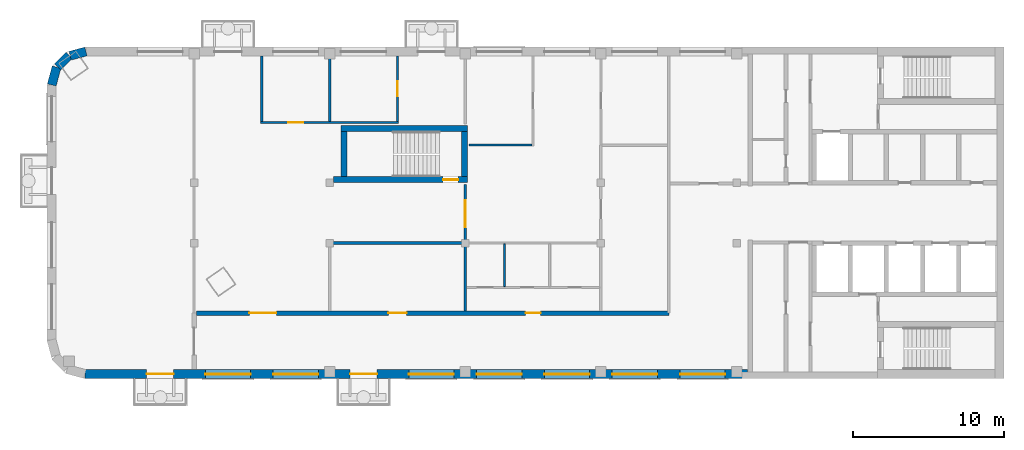
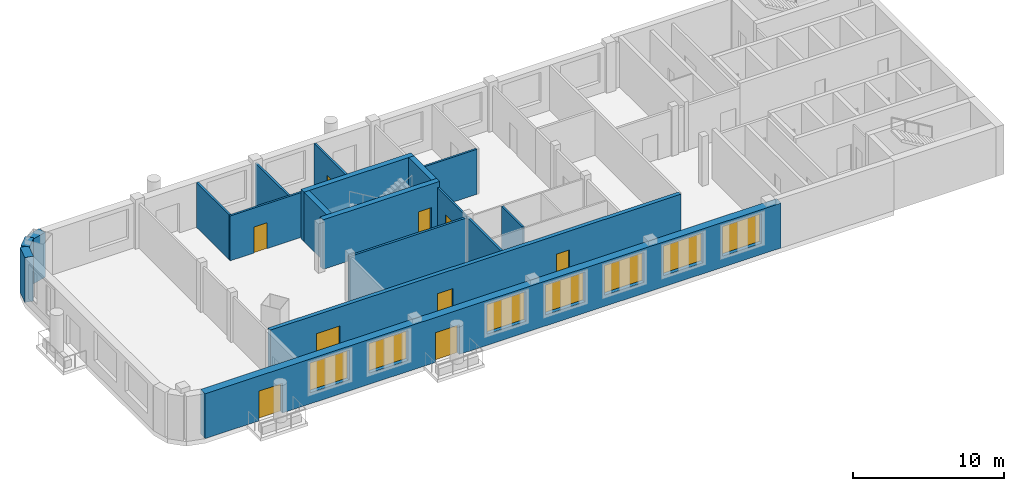
# One storey, part 2 of 8: 18 walls, 9 doors, 7 windows, 16 openings.
"""IFC4 building model written with IfcOpenShell, lengths in metres."""

from ifc_helpers import new_model, si_unit, direction, frame, frame_2d, origin, place, context, subcontext, project, spatial, rectangle, extrude, material, layer, layer_set, type_object, element, fill, save


model = new_model("IFC4")

# Units and contexts
model_context = context("Model", 3, precision=1e-05, world=origin(), true_north=direction((0.0, 1.0)))
body_context = subcontext(model_context, "Body", "Model", "MODEL_VIEW")
ifc_project = project(units=[si_unit("LENGTHUNIT", "METRE"), si_unit("AREAUNIT", "SQUARE_METRE"), si_unit("VOLUMEUNIT", "CUBIC_METRE"), si_unit("PLANEANGLEUNIT", "RADIAN"), si_unit("MASSUNIT", "GRAM", prefix="KILO")], contexts=[model_context])

# Site, building, storey
site_placement = place(None, origin())
site = spatial("IfcSite", under=ifc_project, at=site_placement, CompositionType="ELEMENT")
building_placement = place(site_placement, origin())
building = spatial("IfcBuilding", under=site, at=building_placement, Name="Skarvind Civic Tower", CompositionType="ELEMENT")
storey_placement = place(building_placement, frame((0.0, 0.0, 253.5)))
storey = spatial("IfcBuildingStorey", under=building, at=storey_placement, Name="L60", CompositionType="ELEMENT", Elevation=253.5)

# Walls
ifc_material_1 = material(Name="Acoustic gypsum board on steel studs", Category="steel")
ifc_layer_1 = layer(ifc_material_1, 0.175048828125)
ifc_layer_set_1 = layer_set([ifc_layer_1], Name="ACOUSTIC MEETING-ROOM PARTITION 175")
wall_type_1 = type_object("IfcWallType", Name="ACOUSTIC MEETING-ROOM PARTITION 175", PredefinedType="PARTITIONING", material=ifc_layer_set_1)
wall_1_placement = place(storey_placement, frame((72.25, 121.5, 0.0), z_axis=(0.0, 0.0, 1.0), x_axis=(0.0, 1.0, 0.0)))
element("IfcWall", 1, at=wall_1_placement, inside=storey, type_object=wall_type_1, Name="Partition 60.009", PredefinedType="PARTITIONING", context=body_context, shape_type="SweptSolid", body=[
    extrude(rectangle(XDim=4.5, YDim=0.175048828125, at=frame_2d((2.25, 0.0))), origin(), (0.0, 0.0, 1.0), 3.625),
])
wall_2_placement = place(storey_placement, frame((72.25, 126.0, 0.0), z_axis=(0.0, 0.0, 1.0), x_axis=(-1.0, 0.0, 0.0)))
element("IfcWall", 2, at=wall_2_placement, inside=storey, type_object=wall_type_1, Name="Partition 60.011", PredefinedType="PARTITIONING", context=body_context, shape_type="SweptSolid", body=[
    extrude(rectangle(XDim=9.087890625, YDim=0.175048828125, at=frame_2d((4.5439453125, 0.0))), origin(), (0.0, 0.0, 1.0), 3.625),
])

# Wall, openings, doors
ifc_material_2 = material(Name="Fire-rated gypsum board on steel studs", Category="steel")
ifc_layer_2 = layer(ifc_material_2, 0.300048828125)
ifc_layer_set_2 = layer_set([ifc_layer_2], Name="CORRIDOR WALL 300")
wall_type_2 = type_object("IfcWallType", Name="CORRIDOR WALL 300", PredefinedType="PARTITIONING", material=ifc_layer_set_2)
wall_3_placement = place(storey_placement, frame((54.39990234375, 121.35009765625, 0.0), z_axis=(0.0, 0.0, 1.0), x_axis=(1.0, 0.0, 0.0)))
wall_3 = element("IfcWall", 3, at=wall_3_placement, inside=storey, type_object=wall_type_2, Name="Partition 60.002", PredefinedType="PARTITIONING", context=body_context, shape_type="SweptSolid", body=[
    extrude(rectangle(XDim=31.35302734375, YDim=0.300048828125, at=frame_2d((15.676513671875, 0.0))), origin(), (0.0, 0.0, 1.0), 3.625),
])
opening_1_placement = place(wall_3_placement, frame((21.85009765625, 0.0, 0.0)))
opening_1 = element("IfcOpeningElement", 4, at=opening_1_placement, cuts=wall_3, Name="Opening L60-D002", PredefinedType="OPENING", context=body_context, shape_type="SweptSolid", body=[
    extrude(rectangle(XDim=1.0, YDim=2.10009765625, at=frame_2d((0.5, 1.050048828125))), frame((0.0, 0.159912109375, 0.0), z_axis=(0.0, -1.0, 0.0), x_axis=(1.0, 0.0, 0.0)), (0.0, 0.0, 1.0), 0.320068359375),
])
opening_2_placement = place(wall_3_placement, frame((12.75, 0.0, 0.0)))
opening_2 = element("IfcOpeningElement", 5, at=opening_2_placement, cuts=wall_3, Name="Opening L60-D009", PredefinedType="OPENING", context=body_context, shape_type="SweptSolid", body=[
    extrude(rectangle(XDim=1.199951171875, YDim=2.10009765625, at=frame_2d((0.60009765625, 1.050048828125))), frame((0.0, 0.159912109375, 0.0), z_axis=(0.0, -1.0, 0.0), x_axis=(1.0, 0.0, 0.0)), (0.0, 0.0, 1.0), 0.320068359375),
])
opening_3_placement = place(wall_3_placement, frame((3.514892578125, 0.0, 0.0)))
opening_3 = element("IfcOpeningElement", 6, at=opening_3_placement, cuts=wall_3, Name="Opening L60-D012", PredefinedType="OPENING", context=body_context, shape_type="SweptSolid", body=[
    extrude(rectangle(XDim=1.800048828125, YDim=2.10009765625, at=frame_2d((0.89990234375, 1.050048828125))), frame((0.0, 0.159912109375, 0.0), z_axis=(0.0, -1.0, 0.0), x_axis=(1.0, 0.0, 0.0)), (0.0, 0.0, 1.0), 0.320068359375),
])
ifc_material_3 = material(Name="Fire-rated timber door leaf", Category="wood")
door_type_1 = type_object("IfcDoorType", Name="FD1 1000x2100", OperationType="NOTDEFINED", PredefinedType="DOOR", material=ifc_material_3)
door_1_placement = place(opening_1_placement, origin())
door_1 = element("IfcDoor", 7, at=door_1_placement, inside=storey, type_object=door_type_1, Name="Door L60-D002", OperationType="SINGLE_SWING_LEFT", OverallHeight=2.10009765625, OverallWidth=1.0, PredefinedType="DOOR", context=body_context, shape_type="SweptSolid", body=[
    extrude(rectangle(XDim=1.0, YDim=2.10009765625, at=frame_2d((0.5, 1.050048828125))), frame((0.0, 0.02490234375, 0.0), z_axis=(0.0, -1.0, 0.0), x_axis=(1.0, 0.0, 0.0)), (0.0, 0.0, 1.0), 0.050048828125),
])
fill(opening_1, door_1)
door_type_2 = type_object("IfcDoorType", Name="FD4 1800x2100", OperationType="NOTDEFINED", PredefinedType="DOOR", material=ifc_material_3)
door_2_placement = place(opening_3_placement, origin())
door_2 = element("IfcDoor", 8, at=door_2_placement, inside=storey, type_object=door_type_2, Name="Door L60-D012", OperationType="DOUBLE_DOOR_SINGLE_SWING", OverallHeight=2.10009765625, OverallWidth=1.800048828125, PredefinedType="DOOR", context=body_context, shape_type="SweptSolid", body=[
    extrude(rectangle(XDim=1.800048828125, YDim=2.10009765625, at=frame_2d((0.89990234375, 1.050048828125))), frame((0.0, 0.02490234375, 0.0), z_axis=(0.0, -1.0, 0.0), x_axis=(1.0, 0.0, 0.0)), (0.0, 0.0, 1.0), 0.050048828125),
])
fill(opening_3, door_2)
door_type_3 = type_object("IfcDoorType", Name="FD6 1200x2100 DOUBLE", OperationType="NOTDEFINED", PredefinedType="DOOR", material=ifc_material_3)
door_3_placement = place(opening_2_placement, origin())
door_3 = element("IfcDoor", 9, at=door_3_placement, inside=storey, type_object=door_type_3, Name="Door L60-D009", OperationType="DOUBLE_DOOR_SINGLE_SWING", OverallHeight=2.10009765625, OverallWidth=1.199951171875, PredefinedType="DOOR", context=body_context, shape_type="SweptSolid", body=[
    extrude(rectangle(XDim=1.199951171875, YDim=2.10009765625, at=frame_2d((0.60009765625, 1.050048828125))), frame((0.0, 0.02490234375, 0.0), z_axis=(0.0, -1.0, 0.0), x_axis=(1.0, 0.0, 0.0)), (0.0, 0.0, 1.0), 0.050048828125),
])
fill(opening_2, door_3)

# Wall, opening, door
ifc_material_4 = material(Name="Concrete C60", Category="concrete")
ifc_layer_3 = layer(ifc_material_4, 0.39990234375)
ifc_layer_set_3 = layer_set([ifc_layer_3], Name="Core wall 400 C60")
wall_type_3 = type_object("IfcWallType", Name="Core wall 400 C60", PredefinedType="SHEAR", material=ifc_layer_set_3)
wall_4_placement = place(storey_placement, frame((63.5, 130.199951171875, 0.0), z_axis=(0.0, 0.0, 1.0), x_axis=(1.0, 0.0, 0.0)))
wall_4 = element("IfcWall", 10, at=wall_4_placement, inside=storey, type_object=wall_type_3, Name="Core wall CM inner L60", PredefinedType="SHEAR", context=body_context, shape_type="SweptSolid", body=[
    extrude(rectangle(XDim=8.89990234375, YDim=0.39990234375, at=frame_2d((4.449951171875, 0.0))), origin(), (0.0, 0.0, 1.0), 4.0),
])
opening_4_placement = place(wall_4_placement, frame((7.27490234375, 0.0, 0.0)))
opening_4 = element("IfcOpeningElement", 11, at=opening_4_placement, cuts=wall_4, Name="Opening D-L60-CM-01", PredefinedType="OPENING", context=body_context, shape_type="SweptSolid", body=[
    extrude(rectangle(XDim=1.0, YDim=2.10009765625, at=frame_2d((0.5, 1.050048828125))), frame((0.0, 0.2099609375, 0.0), z_axis=(0.0, -1.0, 0.0), x_axis=(1.0, 0.0, 0.0)), (0.0, 0.0, 1.0), 0.419921875),
])
ifc_material_5 = material(Name="Fire-rated steel door", Category="steel")
door_type_4 = type_object("IfcDoorType", Name="Fire door 1000", OperationType="NOTDEFINED", PredefinedType="DOOR", material=ifc_material_5)
door_4_placement = place(opening_4_placement, origin())
door_4 = element("IfcDoor", 12, at=door_4_placement, inside=storey, type_object=door_type_4, Name="Fire door", OperationType="SINGLE_SWING_LEFT", OverallHeight=2.10009765625, OverallWidth=1.0, PredefinedType="DOOR", context=body_context, shape_type="SweptSolid", body=[
    extrude(rectangle(XDim=1.0, YDim=2.10009765625, at=frame_2d((0.5, 1.050048828125))), frame((0.0, 0.02490234375, 0.0), z_axis=(0.0, -1.0, 0.0), x_axis=(1.0, 0.0, 0.0)), (0.0, 0.0, 1.0), 0.050048828125),
])
fill(opening_4, door_4)

# Walls
wall_5_placement = place(storey_placement, frame((64.0, 133.60009765625, 0.0), z_axis=(0.0, 0.0, 1.0), x_axis=(1.0, 0.0, 0.0)))
element("IfcWall", 13, at=wall_5_placement, inside=storey, type_object=wall_type_3, Name="Core wall CM outer L60", PredefinedType="SHEAR", context=body_context, shape_type="SweptSolid", body=[
    extrude(rectangle(XDim=8.39990234375, YDim=0.39990234375, at=frame_2d((4.199951171875, 0.0))), origin(), (0.0, 0.0, 1.0), 4.0),
])
for number, where, z_axis, x_axis, name in (
    (14, (64.199951171875, 130.39990234375, 0.0), (0.0, 0.0, 1.0), (0.0, 1.0, 0.0), "Core wall CM west L60"),
    (15, (72.199951171875, 130.39990234375, 0.0), (0.0, 0.0, 1.0), (0.0, 1.0, 0.0), "Core wall CM end L60"),
):
    element("IfcWall", number, at=place(storey_placement, frame(where, z_axis=z_axis, x_axis=x_axis)), inside=storey, type_object=wall_type_3, Name=name, PredefinedType="SHEAR", context=body_context, shape_type="SweptSolid", body=[
        extrude(rectangle(XDim=3.0, YDim=0.39990234375, at=frame_2d((1.5, 0.0))), origin(), (0.0, 0.0, 1.0), 4.0),
    ])
ifc_material_6 = material(Name="Plasterboard partition on steel studs", Category="steel")
ifc_layer_4 = layer(ifc_material_6, 0.14990234375)
ifc_layer_set_4 = layer_set([ifc_layer_4], Name="PARTITION 150")
wall_type_4 = type_object("IfcWallType", Name="PARTITION 150", PredefinedType="PARTITIONING", material=ifc_layer_set_4)
wall_6_placement = place(storey_placement, frame((58.75, 134.074951171875, 0.0), z_axis=(0.0, 0.0, 1.0), x_axis=(0.0, 1.0, 0.0)))
element("IfcWall", 16, at=wall_6_placement, inside=storey, type_object=wall_type_4, Name="Partition 60.004", PredefinedType="PARTITIONING", context=body_context, shape_type="SweptSolid", body=[
    extrude(rectangle(XDim=4.324951171875, YDim=0.14990234375, at=frame_2d((2.16259765625, 0.0))), origin(), (0.0, 0.0, 1.0), 3.625),
])

# Wall, opening, door
wall_7_placement = place(storey_placement, frame((67.824951171875, 134.0, 0.0), z_axis=(0.0, 0.0, 1.0), x_axis=(-1.0, 0.0, 0.0)))
wall_7 = element("IfcWall", 17, at=wall_7_placement, inside=storey, type_object=wall_type_4, Name="Partition 60.005", PredefinedType="PARTITIONING", context=body_context, shape_type="SweptSolid", body=[
    extrude(rectangle(XDim=9.14990234375, YDim=0.14990234375, at=frame_2d((4.574951171875, 0.0))), origin(), (0.0, 0.0, 1.0), 3.625),
])
opening_5_placement = place(wall_7_placement, frame((6.324951171875, 0.0, 0.0)))
opening_5 = element("IfcOpeningElement", 18, at=opening_5_placement, cuts=wall_7, Name="Opening L60-D011", PredefinedType="OPENING", context=body_context, shape_type="SweptSolid", body=[
    extrude(rectangle(XDim=1.0, YDim=2.10009765625, at=frame_2d((0.5, 1.050048828125))), frame((0.0, 0.0849609375, 0.0), z_axis=(0.0, -1.0, 0.0), x_axis=(1.0, 0.0, 0.0)), (0.0, 0.0, 1.0), 0.169921875),
])
ifc_material_7 = material(Name="Timber door leaf", Category="wood")
door_type_5 = type_object("IfcDoorType", Name="D1 1000x2100", OperationType="NOTDEFINED", PredefinedType="DOOR", material=ifc_material_7)
door_5_placement = place(opening_5_placement, origin())
door_5 = element("IfcDoor", 19, at=door_5_placement, inside=storey, type_object=door_type_5, Name="Door L60-D011", OperationType="SINGLE_SWING_RIGHT", OverallHeight=2.10009765625, OverallWidth=1.0, PredefinedType="DOOR", context=body_context, shape_type="SweptSolid", body=[
    extrude(rectangle(XDim=1.0, YDim=2.10009765625, at=frame_2d((0.5, 1.050048828125))), frame((0.0, 0.02490234375, 0.0), z_axis=(0.0, -1.0, 0.0), x_axis=(1.0, 0.0, 0.0)), (0.0, 0.0, 1.0), 0.050048828125),
])
fill(opening_5, door_5)

# Wall
wall_8_placement = place(storey_placement, frame((63.25, 134.074951171875, 0.0), z_axis=(0.0, 0.0, 1.0), x_axis=(0.0, 1.0, 0.0)))
element("IfcWall", 20, at=wall_8_placement, inside=storey, type_object=wall_type_4, Name="Partition 60.007", PredefinedType="PARTITIONING", context=body_context, shape_type="SweptSolid", body=[
    extrude(rectangle(XDim=4.324951171875, YDim=0.14990234375, at=frame_2d((2.16259765625, 0.0))), origin(), (0.0, 0.0, 1.0), 3.625),
])

# Wall, opening, door
wall_9_placement = place(storey_placement, frame((67.75, 138.39990234375, 0.0), z_axis=(0.0, 0.0, 1.0), x_axis=(0.0, -1.0, 0.0)))
wall_9 = element("IfcWall", 21, at=wall_9_placement, inside=storey, type_object=wall_type_4, Name="Partition 60.008", PredefinedType="PARTITIONING", context=body_context, shape_type="SweptSolid", body=[
    extrude(rectangle(XDim=4.324951171875, YDim=0.14990234375, at=frame_2d((2.16259765625, 0.0))), origin(), (0.0, 0.0, 1.0), 3.625),
])
opening_6_placement = place(wall_9_placement, frame((1.672607421875, 0.0, 0.0)))
opening_6 = element("IfcOpeningElement", 22, at=opening_6_placement, cuts=wall_9, Name="Opening L60-D010", PredefinedType="OPENING", context=body_context, shape_type="SweptSolid", body=[
    extrude(rectangle(XDim=1.0, YDim=2.10009765625, at=frame_2d((0.5, 1.050048828125))), frame((0.0, 0.0849609375, 0.0), z_axis=(0.0, -1.0, 0.0), x_axis=(1.0, 0.0, 0.0)), (0.0, 0.0, 1.0), 0.169921875),
])
door_6_placement = place(opening_6_placement, origin())
door_6 = element("IfcDoor", 23, at=door_6_placement, inside=storey, type_object=door_type_5, Name="Door L60-D010", OperationType="SINGLE_SWING_LEFT", OverallHeight=2.10009765625, OverallWidth=1.0, PredefinedType="DOOR", context=body_context, shape_type="SweptSolid", body=[
    extrude(rectangle(XDim=1.0, YDim=2.10009765625, at=frame_2d((0.5, 1.050048828125))), frame((0.0, 0.02490234375, 0.0), z_axis=(0.0, -1.0, 0.0), x_axis=(1.0, 0.0, 0.0)), (0.0, 0.0, 1.0), 0.050048828125),
])
fill(opening_6, door_6)

wall_10_placement = place(storey_placement, frame((72.25, 126.0, 0.0), z_axis=(0.0, 0.0, 1.0), x_axis=(0.0, 1.0, 0.0)))
wall_10 = element("IfcWall", 24, at=wall_10_placement, inside=storey, type_object=wall_type_4, Name="Partition 60.012", PredefinedType="PARTITIONING", context=body_context, shape_type="SweptSolid", body=[
    extrude(rectangle(XDim=3.89990234375, YDim=0.14990234375, at=frame_2d((1.949951171875, 0.0))), origin(), (0.0, 0.0, 1.0), 3.625),
])
opening_7_placement = place(wall_10_placement, frame((1.050048828125, 0.0, 0.0)))
opening_7 = element("IfcOpeningElement", 25, at=opening_7_placement, cuts=wall_10, Name="Opening L60-D008", PredefinedType="OPENING", context=body_context, shape_type="SweptSolid", body=[
    extrude(rectangle(XDim=1.800048828125, YDim=2.10009765625, at=frame_2d((0.89990234375, 1.050048828125))), frame((0.0, 0.0849609375, 0.0), z_axis=(0.0, -1.0, 0.0), x_axis=(1.0, 0.0, 0.0)), (0.0, 0.0, 1.0), 0.169921875),
])
door_type_6 = type_object("IfcDoorType", Name="D4 1800x2100", OperationType="NOTDEFINED", PredefinedType="DOOR", material=ifc_material_7)
door_7_placement = place(opening_7_placement, origin())
door_7 = element("IfcDoor", 26, at=door_7_placement, inside=storey, type_object=door_type_6, Name="Door L60-D008", OperationType="DOUBLE_DOOR_SINGLE_SWING", OverallHeight=2.10009765625, OverallWidth=1.800048828125, PredefinedType="DOOR", context=body_context, shape_type="SweptSolid", body=[
    extrude(rectangle(XDim=1.800048828125, YDim=2.10009765625, at=frame_2d((0.89990234375, 1.050048828125))), frame((0.0, 0.02490234375, 0.0), z_axis=(0.0, -1.0, 0.0), x_axis=(1.0, 0.0, 0.0)), (0.0, 0.0, 1.0), 0.050048828125),
])
fill(opening_7, door_7)

# Walls
wall_11_placement = place(storey_placement, frame((76.675048828125, 132.5, 0.0), z_axis=(0.0, 0.0, 1.0), x_axis=(-1.0, 0.0, 0.0)))
element("IfcWall", 27, at=wall_11_placement, inside=storey, type_object=wall_type_4, Name="Partition 60.016", PredefinedType="PARTITIONING", context=body_context, shape_type="SweptSolid", body=[
    extrude(rectangle(XDim=4.175048828125, YDim=0.14990234375, at=frame_2d((2.08740234375, 0.0))), origin(), (0.0, 0.0, 1.0), 3.625),
])
ifc_material_8 = material(Name="Moisture-resistant gypsum board on steel studs", Category="steel")
ifc_layer_5 = layer(ifc_material_8, 0.125)
ifc_layer_set_5 = layer_set([ifc_layer_5], Name="WC PARTITION 125")
wall_type_5 = type_object("IfcWallType", Name="WC PARTITION 125", PredefinedType="PARTITIONING", material=ifc_layer_set_5)
wall_12_placement = place(storey_placement, frame((74.85009765625, 125.93798828125, 0.0), z_axis=(0.0, 0.0, 1.0), x_axis=(0.0, -1.0, 0.0)))
element("IfcWall", 28, at=wall_12_placement, inside=storey, type_object=wall_type_5, Name="Partition 60.015", PredefinedType="PARTITIONING", context=body_context, shape_type="SweptSolid", body=[
    extrude(rectangle(XDim=2.825927734375, YDim=0.125, at=frame_2d((1.4130859375, 0.0))), origin(), (0.0, 0.0, 1.0), 3.625),
])
ifc_material_9 = material(Name="Standing-seam zinc cladding on insulated backing")
ifc_layer_6 = layer(ifc_material_9, 0.60009765625)
ifc_layer_set_6 = layer_set([ifc_layer_6], Name="WX2 ZINC-CLAD FACADE WALL 600")
wall_type_6 = type_object("IfcWallType", Name="WX2 ZINC-CLAD FACADE WALL 600", PredefinedType="SOLIDWALL", material=ifc_layer_set_6)
wall_13_placement = place(storey_placement, frame((46.030517578125, 138.4296875, 0.0), z_axis=(0.0, 0.0, 1.0), x_axis=(0.965939004864, 0.25876985698, 0.0)))
element("IfcWall", 29, at=wall_13_placement, inside=storey, type_object=wall_type_6, Name="ZINC-CLAD FACADE WALL", PredefinedType="SOLIDWALL", context=body_context, shape_type="SweptSolid", body=[
    extrude(rectangle(XDim=1.083984375, YDim=0.60009765625, at=frame_2d((0.5419921875, 0.0))), origin(), (0.0, 0.0, 1.0), 3.625),
])
wall_14_placement = place(storey_placement, frame((45.195556640625, 137.686279296875, 0.0), z_axis=(0.0, 0.0, 1.0), x_axis=(0.707106781187, 0.707106781187, 0.0)))
element("IfcWall", 30, at=wall_14_placement, inside=storey, type_object=wall_type_6, Name="ZINC-CLAD FACADE WALL", PredefinedType="SOLIDWALL", context=body_context, shape_type="SweptSolid", body=[
    extrude(rectangle(XDim=1.084228515625, YDim=0.60009765625, at=frame_2d((0.5419921875, 0.0))), origin(), (0.0, 0.0, 1.0), 3.625),
])
wall_15_placement = place(storey_placement, frame((44.807861328125, 136.489990234375, 0.0), z_axis=(0.0, 0.0, 1.0), x_axis=(0.258878975098, 0.965909766102, 0.0)))
element("IfcWall", 31, at=wall_15_placement, inside=storey, type_object=wall_type_6, Name="ZINC-CLAD FACADE WALL", PredefinedType="SOLIDWALL", context=body_context, shape_type="SweptSolid", body=[
    extrude(rectangle(XDim=1.22412109375, YDim=0.60009765625, at=frame_2d((0.612060546875, 0.0))), origin(), (0.0, 0.0, 1.0), 3.625),
])

# Wall, openings, doors, windows
wall_16_placement = place(storey_placement, frame((90.97998046875, 117.300048828125, 0.0), z_axis=(0.0, 0.0, 1.0), x_axis=(-1.0, 0.0, 0.0)))
wall_16 = element("IfcWall", 32, at=wall_16_placement, inside=storey, type_object=wall_type_6, Name="ZINC-CLAD FACADE WALL", PredefinedType="SOLIDWALL", context=body_context, shape_type="SweptSolid", body=[
    extrude(rectangle(XDim=43.97998046875, YDim=0.60009765625, at=frame_2d((21.989990234375, 0.0))), origin(), (0.0, 0.0, 1.0), 3.625),
])
opening_8_placement = place(wall_16_placement, frame((1.47998046875, 0.0, 0.89990234375)))
opening_8 = element("IfcOpeningElement", 33, at=opening_8_placement, cuts=wall_16, Name="Opening WN4", PredefinedType="OPENING", context=body_context, shape_type="SweptSolid", body=[
    extrude(rectangle(XDim=3.0, YDim=2.39990234375, at=frame_2d((1.5, 1.199951171875))), frame((0.0, 0.31005859375, 0.0), z_axis=(0.0, -1.0, 0.0), x_axis=(1.0, 0.0, 0.0)), (0.0, 0.0, 1.0), 0.6201171875),
])
opening_9_placement = place(wall_16_placement, frame((5.97998046875, 0.0, 0.89990234375)))
opening_9 = element("IfcOpeningElement", 34, at=opening_9_placement, cuts=wall_16, Name="Opening WN4", PredefinedType="OPENING", context=body_context, shape_type="SweptSolid", body=[
    extrude(rectangle(XDim=3.0, YDim=2.39990234375, at=frame_2d((1.5, 1.199951171875))), frame((0.0, 0.31005859375, 0.0), z_axis=(0.0, -1.0, 0.0), x_axis=(1.0, 0.0, 0.0)), (0.0, 0.0, 1.0), 0.6201171875),
])
opening_10_placement = place(wall_16_placement, frame((10.47998046875, 0.0, 0.89990234375)))
opening_10 = element("IfcOpeningElement", 35, at=opening_10_placement, cuts=wall_16, Name="Opening WN4", PredefinedType="OPENING", context=body_context, shape_type="SweptSolid", body=[
    extrude(rectangle(XDim=3.0, YDim=2.39990234375, at=frame_2d((1.5, 1.199951171875))), frame((0.0, 0.31005859375, 0.0), z_axis=(0.0, -1.0, 0.0), x_axis=(1.0, 0.0, 0.0)), (0.0, 0.0, 1.0), 0.6201171875),
])
opening_11_placement = place(wall_16_placement, frame((14.97998046875, 0.0, 0.89990234375)))
opening_11 = element("IfcOpeningElement", 36, at=opening_11_placement, cuts=wall_16, Name="Opening WN4", PredefinedType="OPENING", context=body_context, shape_type="SweptSolid", body=[
    extrude(rectangle(XDim=3.0, YDim=2.39990234375, at=frame_2d((1.5, 1.199951171875))), frame((0.0, 0.31005859375, 0.0), z_axis=(0.0, -1.0, 0.0), x_axis=(1.0, 0.0, 0.0)), (0.0, 0.0, 1.0), 0.6201171875),
])
opening_12_placement = place(wall_16_placement, frame((19.47998046875, 0.0, 0.89990234375)))
opening_12 = element("IfcOpeningElement", 37, at=opening_12_placement, cuts=wall_16, Name="Opening WN4", PredefinedType="OPENING", context=body_context, shape_type="SweptSolid", body=[
    extrude(rectangle(XDim=3.0, YDim=2.39990234375, at=frame_2d((1.5, 1.199951171875))), frame((0.0, 0.31005859375, 0.0), z_axis=(0.0, -1.0, 0.0), x_axis=(1.0, 0.0, 0.0)), (0.0, 0.0, 1.0), 0.6201171875),
])
opening_13_placement = place(wall_16_placement, frame((24.580078125, 0.0, 0.0)))
opening_13 = element("IfcOpeningElement", 38, at=opening_13_placement, cuts=wall_16, Name="Opening DX3", PredefinedType="OPENING", context=body_context, shape_type="SweptSolid", body=[
    extrude(rectangle(XDim=1.800048828125, YDim=2.39990234375, at=frame_2d((0.89990234375, 1.199951171875))), frame((0.0, 0.31005859375, 0.0), z_axis=(0.0, -1.0, 0.0), x_axis=(1.0, 0.0, 0.0)), (0.0, 0.0, 1.0), 0.6201171875),
])
opening_14_placement = place(wall_16_placement, frame((28.47998046875, 0.0, 0.89990234375)))
opening_14 = element("IfcOpeningElement", 39, at=opening_14_placement, cuts=wall_16, Name="Opening WN4", PredefinedType="OPENING", context=body_context, shape_type="SweptSolid", body=[
    extrude(rectangle(XDim=3.0, YDim=2.39990234375, at=frame_2d((1.5, 1.199951171875))), frame((0.0, 0.31005859375, 0.0), z_axis=(0.0, -1.0, 0.0), x_axis=(1.0, 0.0, 0.0)), (0.0, 0.0, 1.0), 0.6201171875),
])
opening_15_placement = place(wall_16_placement, frame((32.97998046875, 0.0, 0.89990234375)))
opening_15 = element("IfcOpeningElement", 40, at=opening_15_placement, cuts=wall_16, Name="Opening WN4", PredefinedType="OPENING", context=body_context, shape_type="SweptSolid", body=[
    extrude(rectangle(XDim=3.0, YDim=2.39990234375, at=frame_2d((1.5, 1.199951171875))), frame((0.0, 0.31005859375, 0.0), z_axis=(0.0, -1.0, 0.0), x_axis=(1.0, 0.0, 0.0)), (0.0, 0.0, 1.0), 0.6201171875),
])
opening_16_placement = place(wall_16_placement, frame((38.080078125, 0.0, 0.0)))
opening_16 = element("IfcOpeningElement", 41, at=opening_16_placement, cuts=wall_16, Name="Opening DX3", PredefinedType="OPENING", context=body_context, shape_type="SweptSolid", body=[
    extrude(rectangle(XDim=1.800048828125, YDim=2.39990234375, at=frame_2d((0.89990234375, 1.199951171875))), frame((0.0, 0.31005859375, 0.0), z_axis=(0.0, -1.0, 0.0), x_axis=(1.0, 0.0, 0.0)), (0.0, 0.0, 1.0), 0.6201171875),
])
ifc_material_10 = material(Name="Timber and glass doorset", Category="wood")
door_type_7 = type_object("IfcDoorType", Name="DX3 TERRACE DOORS 1800 x 2400", OperationType="NOTDEFINED", PredefinedType="DOOR", material=ifc_material_10)
door_8_placement = place(opening_13_placement, origin())
door_8 = element("IfcDoor", 42, at=door_8_placement, inside=storey, type_object=door_type_7, Name="TERRACE DOORS", OperationType="DOUBLE_DOOR_SINGLE_SWING", OverallHeight=2.39990234375, OverallWidth=1.800048828125, PredefinedType="DOOR", context=body_context, shape_type="SweptSolid", body=[
    extrude(rectangle(XDim=1.800048828125, YDim=2.39990234375, at=frame_2d((0.89990234375, 1.199951171875))), frame((0.0, 0.02490234375, 0.0), z_axis=(0.0, -1.0, 0.0), x_axis=(1.0, 0.0, 0.0)), (0.0, 0.0, 1.0), 0.050048828125),
])
fill(opening_13, door_8)
door_9_placement = place(opening_16_placement, origin())
door_9 = element("IfcDoor", 43, at=door_9_placement, inside=storey, type_object=door_type_7, Name="TERRACE DOORS", OperationType="DOUBLE_DOOR_SINGLE_SWING", OverallHeight=2.39990234375, OverallWidth=1.800048828125, PredefinedType="DOOR", context=body_context, shape_type="SweptSolid", body=[
    extrude(rectangle(XDim=1.800048828125, YDim=2.39990234375, at=frame_2d((0.89990234375, 1.199951171875))), frame((0.0, 0.02490234375, 0.0), z_axis=(0.0, -1.0, 0.0), x_axis=(1.0, 0.0, 0.0)), (0.0, 0.0, 1.0), 0.050048828125),
])
fill(opening_16, door_9)
ifc_material_11 = material(Name="Timber frame, double glazing, copper-lined reveal", Category="wood")
window_type = type_object("IfcWindowType", Name="WN4 COPPER-LINED WINDOW 3000 x 2400", PartitioningType="SINGLE_PANEL", PredefinedType="WINDOW", material=ifc_material_11)
window_1_placement = place(opening_8_placement, origin())
window_1 = element("IfcWindow", 44, at=window_1_placement, inside=storey, type_object=window_type, Name="WN4 WINDOW", OverallHeight=2.39990234375, OverallWidth=3.0, PartitioningType="SINGLE_PANEL", PredefinedType="WINDOW", context=body_context, shape_type="SweptSolid", body=[
    extrude(rectangle(XDim=3.0, YDim=2.39990234375, at=frame_2d((1.5, 1.199951171875))), frame((0.0, 0.030029296875, 0.0), z_axis=(0.0, -1.0, 0.0), x_axis=(1.0, 0.0, 0.0)), (0.0, 0.0, 1.0), 0.06005859375),
])
fill(opening_8, window_1)
window_2_placement = place(opening_9_placement, origin())
window_2 = element("IfcWindow", 45, at=window_2_placement, inside=storey, type_object=window_type, Name="WN4 WINDOW", OverallHeight=2.39990234375, OverallWidth=3.0, PartitioningType="SINGLE_PANEL", PredefinedType="WINDOW", context=body_context, shape_type="SweptSolid", body=[
    extrude(rectangle(XDim=3.0, YDim=2.39990234375, at=frame_2d((1.5, 1.199951171875))), frame((0.0, 0.030029296875, 0.0), z_axis=(0.0, -1.0, 0.0), x_axis=(1.0, 0.0, 0.0)), (0.0, 0.0, 1.0), 0.06005859375),
])
fill(opening_9, window_2)
window_3_placement = place(opening_10_placement, origin())
window_3 = element("IfcWindow", 46, at=window_3_placement, inside=storey, type_object=window_type, Name="WN4 WINDOW", OverallHeight=2.39990234375, OverallWidth=3.0, PartitioningType="SINGLE_PANEL", PredefinedType="WINDOW", context=body_context, shape_type="SweptSolid", body=[
    extrude(rectangle(XDim=3.0, YDim=2.39990234375, at=frame_2d((1.5, 1.199951171875))), frame((0.0, 0.030029296875, 0.0), z_axis=(0.0, -1.0, 0.0), x_axis=(1.0, 0.0, 0.0)), (0.0, 0.0, 1.0), 0.06005859375),
])
fill(opening_10, window_3)
window_4_placement = place(opening_11_placement, origin())
window_4 = element("IfcWindow", 47, at=window_4_placement, inside=storey, type_object=window_type, Name="WN4 WINDOW", OverallHeight=2.39990234375, OverallWidth=3.0, PartitioningType="SINGLE_PANEL", PredefinedType="WINDOW", context=body_context, shape_type="SweptSolid", body=[
    extrude(rectangle(XDim=3.0, YDim=2.39990234375, at=frame_2d((1.5, 1.199951171875))), frame((0.0, 0.030029296875, 0.0), z_axis=(0.0, -1.0, 0.0), x_axis=(1.0, 0.0, 0.0)), (0.0, 0.0, 1.0), 0.06005859375),
])
fill(opening_11, window_4)
window_5_placement = place(opening_12_placement, origin())
window_5 = element("IfcWindow", 48, at=window_5_placement, inside=storey, type_object=window_type, Name="WN4 WINDOW", OverallHeight=2.39990234375, OverallWidth=3.0, PartitioningType="SINGLE_PANEL", PredefinedType="WINDOW", context=body_context, shape_type="SweptSolid", body=[
    extrude(rectangle(XDim=3.0, YDim=2.39990234375, at=frame_2d((1.5, 1.199951171875))), frame((0.0, 0.030029296875, 0.0), z_axis=(0.0, -1.0, 0.0), x_axis=(1.0, 0.0, 0.0)), (0.0, 0.0, 1.0), 0.06005859375),
])
fill(opening_12, window_5)
window_6_placement = place(opening_14_placement, origin())
window_6 = element("IfcWindow", 49, at=window_6_placement, inside=storey, type_object=window_type, Name="WN4 WINDOW", OverallHeight=2.39990234375, OverallWidth=3.0, PartitioningType="SINGLE_PANEL", PredefinedType="WINDOW", context=body_context, shape_type="SweptSolid", body=[
    extrude(rectangle(XDim=3.0, YDim=2.39990234375, at=frame_2d((1.5, 1.199951171875))), frame((0.0, 0.030029296875, 0.0), z_axis=(0.0, -1.0, 0.0), x_axis=(1.0, 0.0, 0.0)), (0.0, 0.0, 1.0), 0.06005859375),
])
fill(opening_14, window_6)
window_7_placement = place(opening_15_placement, origin())
window_7 = element("IfcWindow", 50, at=window_7_placement, inside=storey, type_object=window_type, Name="WN4 WINDOW", OverallHeight=2.39990234375, OverallWidth=3.0, PartitioningType="SINGLE_PANEL", PredefinedType="WINDOW", context=body_context, shape_type="SweptSolid", body=[
    extrude(rectangle(XDim=3.0, YDim=2.39990234375, at=frame_2d((1.5, 1.199951171875))), frame((0.0, 0.030029296875, 0.0), z_axis=(0.0, -1.0, 0.0), x_axis=(1.0, 0.0, 0.0)), (0.0, 0.0, 1.0), 0.06005859375),
])
fill(opening_15, window_7)

save(model, "model.ifc")
